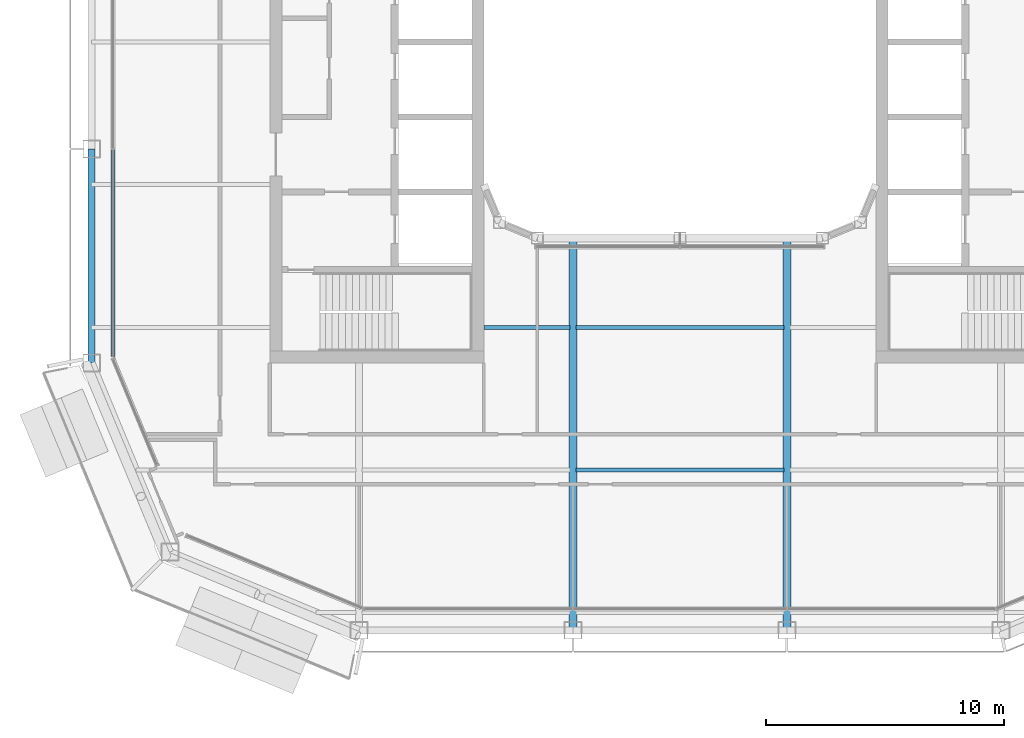
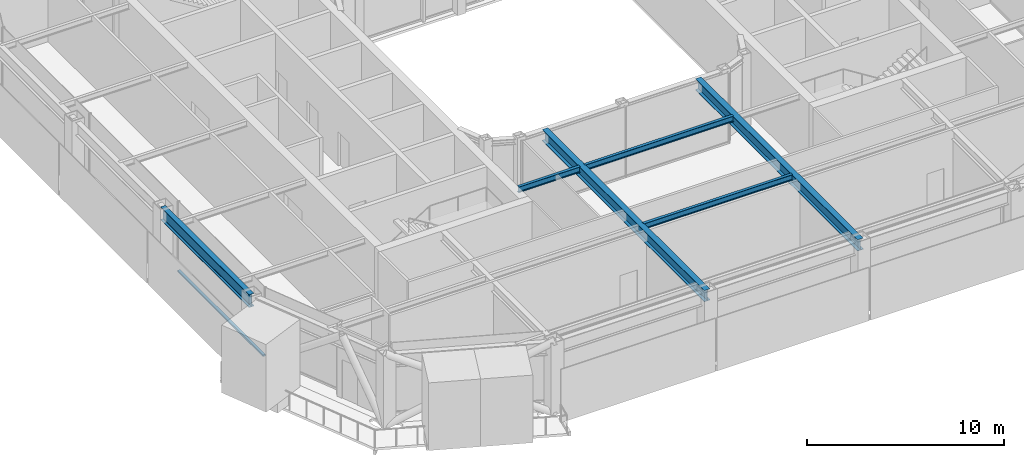
# One storey, part 3 of 20: 6 beams, 1 member, 1 element without a shape of its own.
"""IFC4 building model written with IfcOpenShell, lengths in metres."""

from ifc_helpers import new_model, si_unit, direction, frame, origin, origin_2d, place, context, subcontext, project, spatial, rectangle, i_section, extrude, material, layer, layer_set, material_profile, profile_set, type_object, element, aggregate, save


model = new_model("IFC4")

# Units and contexts
model_context = context("Model", 3, precision=1e-05, world=origin(), true_north=direction((0.0, 1.0)))
body_context = subcontext(model_context, "Body", "Model", "MODEL_VIEW")
ifc_project = project(units=[si_unit("LENGTHUNIT", "METRE"), si_unit("AREAUNIT", "SQUARE_METRE"), si_unit("VOLUMEUNIT", "CUBIC_METRE"), si_unit("PLANEANGLEUNIT", "RADIAN"), si_unit("MASSUNIT", "GRAM", prefix="KILO")], contexts=[model_context])

# Site, building, storey
site_placement = place(None, origin())
site = spatial("IfcSite", under=ifc_project, at=site_placement, CompositionType="ELEMENT")
building_placement = place(site_placement, origin())
building = spatial("IfcBuilding", under=site, at=building_placement, Name="Siwar Civic Tower", CompositionType="ELEMENT")
storey_placement = place(building_placement, frame((0.0, 0.0, 298.699951171875)))
storey = spatial("IfcBuildingStorey", under=building, at=storey_placement, Name="L64", CompositionType="ELEMENT", Elevation=298.699951171875)

# Curtain wall, member
ifc_material_1 = material(Name="Aluminium and glass", Category="aluminium")
ifc_layer = layer(ifc_material_1, 0.159912109375)
ifc_layer_set = layer_set([ifc_layer], Name="Aluminium and glass")
curtain_wall_type = type_object("IfcCurtainWallType", Name="ENV-CW-D", PredefinedType="NOTDEFINED", material=ifc_layer_set)
curtain_wall_placement = place(storey_placement, origin())
curtain_wall = element("IfcCurtainWall", 1, at=curtain_wall_placement, inside=storey, type_object=curtain_wall_type, Name="Curtain wall D W", PredefinedType="NOTDEFINED")
ifc_material_2 = material(Name="Aluminium 6063-T6", Category="aluminium")
ifc_material_profile_1 = material_profile(ifc_material_2, rectangle(XDim=0.159912109375, YDim=0.10009765625, at=origin_2d()), Name="AL 160x100")
ifc_profile_set_1 = profile_set([ifc_material_profile_1], Name="Aluminium 6063-T6")
member_type = type_object("IfcMemberType", Name="ENV-TRANSOM-D", PredefinedType="USERDEFINED", material=ifc_profile_set_1)
member_placement = place(storey_placement, frame((-23.85009765625, -4.530029296875, 0.050048828125), z_axis=(0.0, -1.0, 0.0), x_axis=(1.0, 0.0, 0.0)))
member = element("IfcMember", 2, at=member_placement, type_object=member_type, Name="Transom D W 3", ObjectType="TRANSOM", PredefinedType="USERDEFINED", context=body_context, shape_type="SweptSolid", body=[
    extrude(rectangle(XDim=0.159912109375, YDim=0.10009765625, at=origin_2d()), origin(), (0.0, 0.0, 1.0), 8.693115234375),
])
aggregate(curtain_wall, [member])

# Beams
ifc_material_3 = material(Name="Steel S355", Category="steel")
ifc_material_profile_2 = material_profile(ifc_material_3, i_section(OverallWidth=0.169921875, OverallDepth=0.360107421875, WebThickness=0.008056640625, FlangeThickness=0.0126953125, FilletRadius=0.01806640625, at=origin_2d()), Name="IPE360")
ifc_profile_set_2 = profile_set([ifc_material_profile_2], Name="Steel S355")
beam_type_1 = type_object("IfcBeamType", Name="STR-FB-IPE360", PredefinedType="JOIST", material=ifc_profile_set_2)
beam_1_placement = place(storey_placement, frame((-4.3701171875, -18.0, 4.170166015625), z_axis=(1.0, 0.0, 0.0), x_axis=(0.0, 1.0, 0.0)))
element("IfcBeam", 3, at=beam_1_placement, inside=storey, type_object=beam_type_1, Name="L64/bm/F008", PredefinedType="JOIST", context=body_context, shape_type="SweptSolid", body=[
    extrude(i_section(OverallWidth=0.169921875, OverallDepth=0.360107421875, WebThickness=0.008056640625, FlangeThickness=0.0126953125, FilletRadius=0.01806640625, at=origin_2d()), origin(), (0.0, 0.0, 1.0), 8.740234375),
])
beam_2_placement = place(storey_placement, frame((-8.25, -12.0, 4.170166015625), z_axis=(1.0, 0.0, 0.0), x_axis=(0.0, 1.0, 0.0)))
element("IfcBeam", 4, at=beam_2_placement, inside=storey, type_object=beam_type_1, Name="L64/bm/F012", PredefinedType="JOIST", context=body_context, shape_type="SweptSolid", body=[
    extrude(i_section(OverallWidth=0.169921875, OverallDepth=0.360107421875, WebThickness=0.008056640625, FlangeThickness=0.0126953125, FilletRadius=0.01806640625, at=origin_2d()), origin(), (0.0, 0.0, 1.0), 3.6201171875),
])
beam_3_placement = place(storey_placement, frame((-4.3701171875, -12.0, 4.170166015625), z_axis=(1.0, 0.0, 0.0), x_axis=(0.0, 1.0, 0.0)))
element("IfcBeam", 5, at=beam_3_placement, inside=storey, type_object=beam_type_1, Name="L64/bm/F013", PredefinedType="JOIST", context=body_context, shape_type="SweptSolid", body=[
    extrude(i_section(OverallWidth=0.169921875, OverallDepth=0.360107421875, WebThickness=0.008056640625, FlangeThickness=0.0126953125, FilletRadius=0.01806640625, at=origin_2d()), origin(), (0.0, 0.0, 1.0), 8.740234375),
])
ifc_material_4 = material(Name="Steel S355", Category="steel")
ifc_material_profile_3 = material_profile(ifc_material_4, i_section(OverallWidth=0.340087890625, OverallDepth=0.699951171875, WebThickness=0.013916015625, FlangeThickness=0.030029296875, at=origin_2d()), Name="PG700x340x14x30")
ifc_profile_set_3 = profile_set([ifc_material_profile_3], Name="Steel S355")
beam_type_2 = type_object("IfcBeamType", Name="STR-PG-PG700x340x14x30", PredefinedType="BEAM", material=ifc_profile_set_3)
for number, where, z_axis, x_axis, name in (
    (6, (-4.5, -24.75, 4.0), (0.0, 1.0, 0.0), (-1.0, 0.0, 0.0), "L64/bm/G03"),
    (7, (4.5, -24.75, 4.0), (0.0, 1.0, 0.0), (-1.0, 0.0, 0.0), "L64/bm/G05"),
):
    element("IfcBeam", number, at=place(storey_placement, frame(where, z_axis=z_axis, x_axis=x_axis)), inside=storey, type_object=beam_type_2, Name=name, PredefinedType="BEAM", context=body_context, shape_type="SweptSolid", body=[
        extrude(i_section(OverallWidth=0.340087890625, OverallDepth=0.699951171875, WebThickness=0.013916015625, FlangeThickness=0.030029296875, at=origin_2d()), origin(), (0.0, 0.0, 1.0), 16.5),
    ])
ifc_material_5 = material(Name="Steel S355", Category="steel")
ifc_material_profile_4 = material_profile(ifc_material_5, i_section(OverallWidth=0.300048828125, OverallDepth=0.800048828125, WebThickness=0.017578125, FlangeThickness=0.032958984375, FilletRadius=0.030029296875, at=origin_2d()), Name="HEB800")
ifc_profile_set_4 = profile_set([ifc_material_profile_4], Name="Steel S355")
beam_type_3 = type_object("IfcBeamType", Name="STR-SB-HEB800", PredefinedType="BEAM", material=ifc_profile_set_4)
beam_4_placement = place(storey_placement, frame((-24.75, -4.5, 3.949951171875), z_axis=(0.0, -1.0, 0.0), x_axis=(1.0, 0.0, 0.0)))
element("IfcBeam", 8, at=beam_4_placement, inside=storey, type_object=beam_type_3, Name="L64/bm/SW-2", PredefinedType="BEAM", context=body_context, shape_type="SweptSolid", body=[
    extrude(i_section(OverallWidth=0.300048828125, OverallDepth=0.800048828125, WebThickness=0.017578125, FlangeThickness=0.032958984375, FilletRadius=0.030029296875, at=origin_2d()), origin(), (0.0, 0.0, 1.0), 9.0),
])

save(model, "model.ifc")
